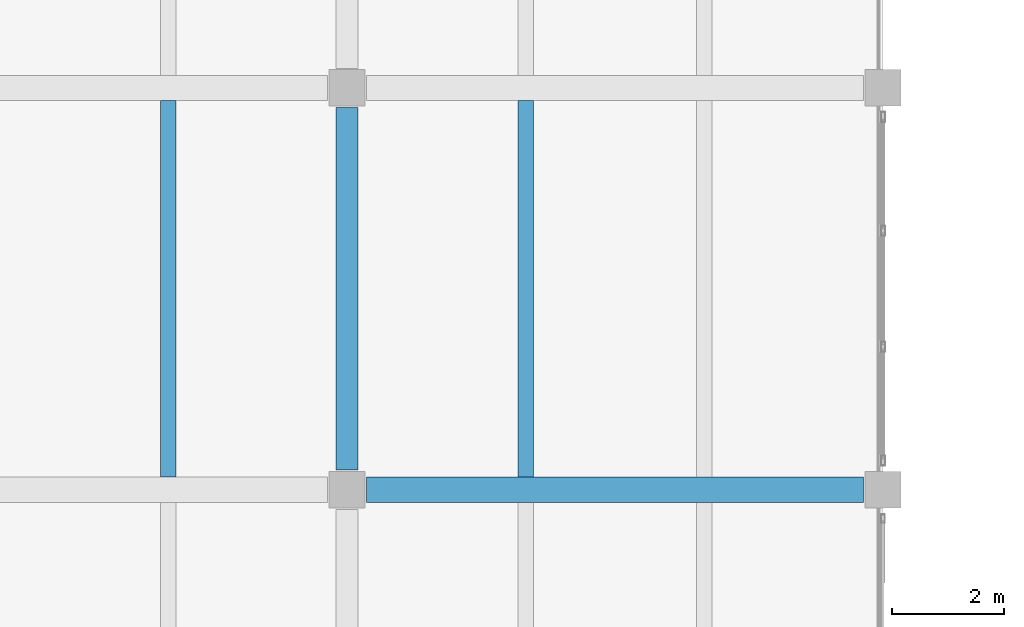
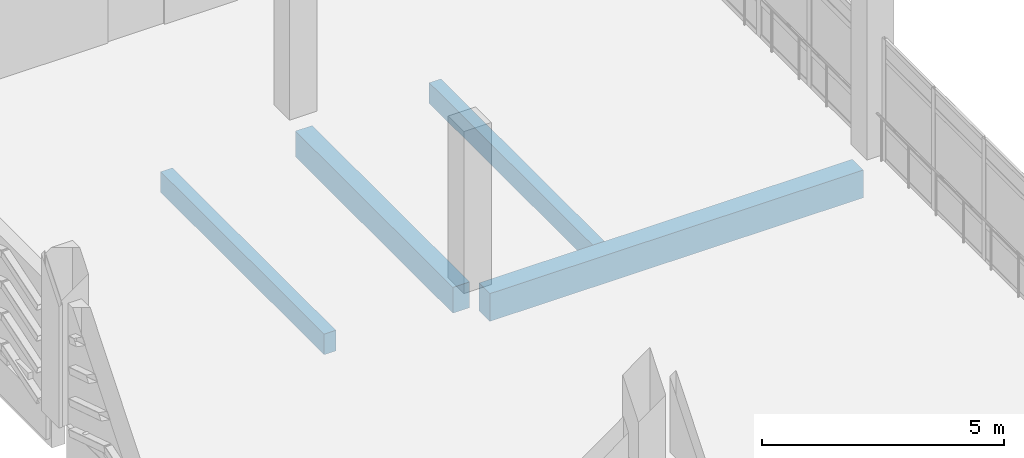
# One storey, part 19 of 134: 4 beams.
"""IFC4 building model written with IfcOpenShell, lengths in metres."""

from ifc_helpers import new_model, si_unit, direction, frame, origin, origin_2d, place, context, subcontext, project, spatial, rectangle, extrude, material, material_profile, profile_set, type_object, element, save


model = new_model("IFC4")

# Units and contexts
model_context = context("Model", 3, precision=1e-05, world=origin(), true_north=direction((0.0, 1.0)))
body_context = subcontext(model_context, "Body", "Model", "MODEL_VIEW")
ifc_project = project(units=[si_unit("LENGTHUNIT", "METRE"), si_unit("AREAUNIT", "SQUARE_METRE"), si_unit("VOLUMEUNIT", "CUBIC_METRE"), si_unit("PLANEANGLEUNIT", "RADIAN"), si_unit("MASSUNIT", "GRAM", prefix="KILO")], contexts=[model_context])

# Site, building, storey
site_placement = place(None, origin())
site = spatial("IfcSite", under=ifc_project, at=site_placement, CompositionType="ELEMENT")
building_placement = place(site_placement, origin())
building = spatial("IfcBuilding", under=site, at=building_placement, Name="Asteropetra Specialist Clinic", CompositionType="ELEMENT")
storey_placement = place(building_placement, frame((0.0, 0.0, 8.5)))
storey = spatial("IfcBuildingStorey", under=building, at=storey_placement, Name="L02", CompositionType="ELEMENT", Elevation=8.5)

# Beams
ifc_material_1 = material(Name="Concrete C35/45", Category="concrete")
ifc_material_profile_1 = material_profile(ifc_material_1, rectangle(XDim=0.39990234375, YDim=0.64990234375, at=origin_2d()), Name="RCB 400x650")
ifc_profile_set_1 = profile_set([ifc_material_profile_1], Name="Concrete C35/45")
beam_type_1 = type_object("IfcBeamType", Name="BM-RC400x650", PredefinedType="BEAM", material=ifc_profile_set_1)
beam_1_placement = place(storey_placement, frame((115.199951171875, 26.75, -0.625), z_axis=(0.0, 1.0, 0.0), x_axis=(-1.0, 0.0, 0.0)))
element("IfcBeam", 1, at=beam_1_placement, inside=storey, type_object=beam_type_1, Name="Beam BBM07-1206", PredefinedType="BEAM", context=body_context, shape_type="SweptSolid", body=[
    extrude(rectangle(XDim=0.39990234375, YDim=0.64990234375, at=origin_2d()), origin(), (0.0, 0.0, 1.0), 6.5),
])
ifc_material_2 = material(Name="Concrete C35/45", Category="concrete")
ifc_material_profile_2 = material_profile(ifc_material_2, rectangle(XDim=0.449951171875, YDim=0.699951171875, at=origin_2d()), Name="RCB 450x700")
ifc_profile_set_2 = profile_set([ifc_material_profile_2], Name="Concrete C35/45")
beam_type_2 = type_object("IfcBeamType", Name="BM-RC450x700", PredefinedType="BEAM", material=ifc_profile_set_2)
beam_2_placement = place(storey_placement, frame((115.550048828125, 26.39990234375, -0.64990234375), z_axis=(1.0, 0.0, 0.0), x_axis=(0.0, 1.0, 0.0)))
element("IfcBeam", 2, at=beam_2_placement, inside=storey, type_object=beam_type_2, Name="Beam BBM05-1137", PredefinedType="BEAM", context=body_context, shape_type="SweptSolid", body=[
    extrude(rectangle(XDim=0.449951171875, YDim=0.699951171875, at=origin_2d()), origin(), (0.0, 0.0, 1.0), 8.89990234375),
])
ifc_material_3 = material(Name="Concrete C35/45", Category="concrete")
ifc_material_profile_3 = material_profile(ifc_material_3, rectangle(XDim=0.280029296875, YDim=0.52001953125, at=origin_2d()), Name="RCJ 280x520")
ifc_profile_set_3 = profile_set([ifc_material_profile_3], Name="Concrete C35/45")
beam_type_3 = type_object("IfcBeamType", Name="JST-RC280x520", PredefinedType="JOIST", material=ifc_profile_set_3)
for number, where, z_axis, x_axis, name in (
    (3, (112.0, 26.625, -0.56005859375), (0.0, 1.0, 0.0), (-1.0, 0.0, 0.0), "Joist JJST01-1210"),
    (4, (118.39990234375, 26.625, -0.56005859375), (0.0, 1.0, 0.0), (-1.0, 0.0, 0.0), "Joist JJST01-1211"),
):
    element("IfcBeam", number, at=place(storey_placement, frame(where, z_axis=z_axis, x_axis=x_axis)), inside=storey, type_object=beam_type_3, Name=name, PredefinedType="JOIST", context=body_context, shape_type="SweptSolid", body=[
        extrude(rectangle(XDim=0.280029296875, YDim=0.52001953125, at=origin_2d()), origin(), (0.0, 0.0, 1.0), 6.75),
    ])

save(model, "model.ifc")
